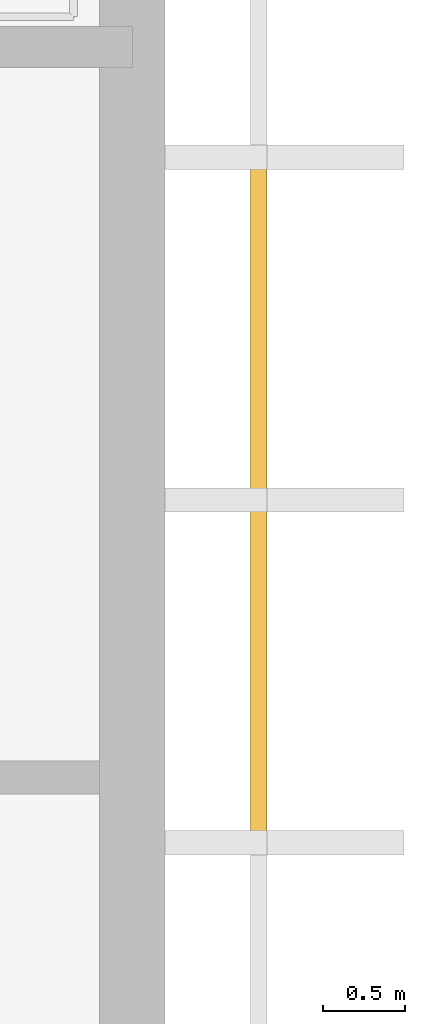
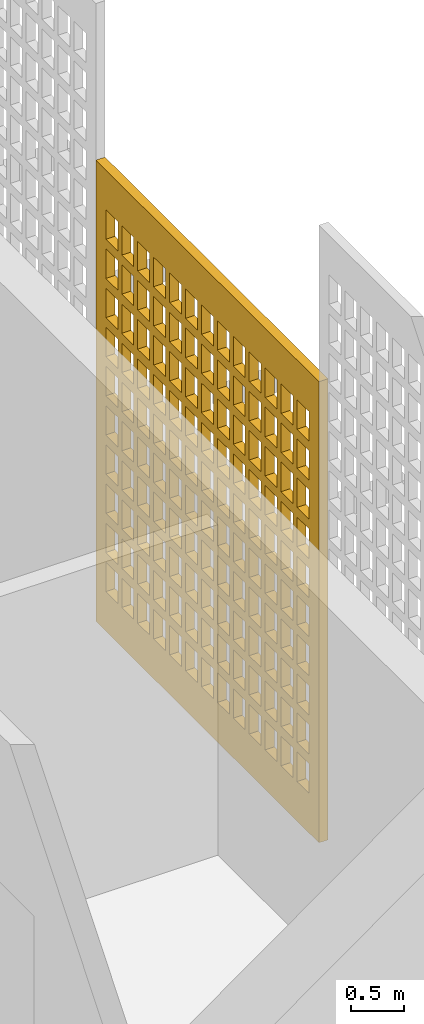
# One storey, part 14 of 23: 1 shading device, 1 opening.
"""IFC4 building model written with IfcOpenShell, lengths in metres."""

from ifc_helpers import new_model, si_unit, direction, frame, origin, origin_2d, place, context, subcontext, project, spatial, rectangle, extrude, material, layer, layer_set, type_object, element, save


model = new_model("IFC4")

# Units and contexts
model_context = context("Model", 3, precision=1e-05, world=origin(), true_north=direction((0.0, 1.0)))
body_context = subcontext(model_context, "Body", "Model", "MODEL_VIEW")
ifc_project = project(units=[si_unit("LENGTHUNIT", "METRE"), si_unit("AREAUNIT", "SQUARE_METRE"), si_unit("VOLUMEUNIT", "CUBIC_METRE"), si_unit("PLANEANGLEUNIT", "RADIAN"), si_unit("MASSUNIT", "GRAM", prefix="KILO")], contexts=[model_context])

# Site, building, storey
site_placement = place(None, origin())
site = spatial("IfcSite", under=ifc_project, at=site_placement, CompositionType="ELEMENT")
building_placement = place(site_placement, origin())
building = spatial("IfcBuilding", under=site, at=building_placement, Name="Rulbaag Community and Learning Centre", CompositionType="ELEMENT")
storey_placement = place(building_placement, frame((0.0, 0.0, 64.800048828125)))
storey = spatial("IfcBuildingStorey", under=building, at=storey_placement, Name="L17", CompositionType="ELEMENT", Elevation=64.800048828125)

# Shading device, opening
ifc_material = material(Name="Concrete M40", Category="concrete")
ifc_layer = layer(ifc_material, 0.10009765625)
ifc_layer_set = layer_set([ifc_layer], Name="JC-4")
shading_device_type = type_object("IfcShadingDeviceType", Name="JC-4", PredefinedType="SHUTTER", material=ifc_layer_set)
shading_device_placement = place(storey_placement, frame((168.574951171875, 98.699951171875, 0.0), z_axis=(0.0, 0.0, 1.0), x_axis=(1.0, 0.0, 0.0)))
shading_device = element("IfcShadingDevice", 1, at=shading_device_placement, inside=storey, type_object=shading_device_type, Name="Jaali lantern screen", PredefinedType="SHUTTER", context=body_context, shape_type="SweptSolid", body=[
    extrude(rectangle(XDim=0.10009765625, YDim=4.199951171875, at=origin_2d()), origin(), (0.0, 0.0, 1.0), 5.300048828125),
])
opening_placement = place(shading_device_placement, origin())
element("IfcOpeningElement", 2, at=opening_placement, cuts=shading_device, Name="Perforation JC4", PredefinedType="OPENING", context=body_context, shape_type="SweptSolid", body=[
    extrude(rectangle(XDim=0.22509765625, YDim=0.340087890625, at=origin_2d()), frame((-0.06005859375, -1.800048828125, 0.625), z_axis=(1.0, 0.0, 0.0), x_axis=(0.0, 1.0, 0.0)), (0.0, 0.0, 1.0), 0.1201171875),
    extrude(rectangle(XDim=0.22509765625, YDim=0.340087890625, at=origin_2d()), frame((-0.06005859375, -1.5, 0.625), z_axis=(1.0, 0.0, 0.0), x_axis=(0.0, 1.0, 0.0)), (0.0, 0.0, 1.0), 0.1201171875),
    extrude(rectangle(XDim=0.22509765625, YDim=0.340087890625, at=origin_2d()), frame((-0.06005859375, -1.199951171875, 0.625), z_axis=(1.0, 0.0, 0.0), x_axis=(0.0, 1.0, 0.0)), (0.0, 0.0, 1.0), 0.1201171875),
    extrude(rectangle(XDim=0.22509765625, YDim=0.340087890625, at=origin_2d()), frame((-0.06005859375, -0.89990234375, 0.625), z_axis=(1.0, 0.0, 0.0), x_axis=(0.0, 1.0, 0.0)), (0.0, 0.0, 1.0), 0.1201171875),
    extrude(rectangle(XDim=0.22509765625, YDim=0.340087890625, at=origin_2d()), frame((-0.06005859375, -0.60009765625, 0.625), z_axis=(1.0, 0.0, 0.0), x_axis=(0.0, 1.0, 0.0)), (0.0, 0.0, 1.0), 0.1201171875),
    extrude(rectangle(XDim=0.22509765625, YDim=0.340087890625, at=origin_2d()), frame((-0.06005859375, -0.300048828125, 0.625), z_axis=(1.0, 0.0, 0.0), x_axis=(0.0, 1.0, 0.0)), (0.0, 0.0, 1.0), 0.1201171875),
    extrude(rectangle(XDim=0.22509765625, YDim=0.340087890625, at=origin_2d()), frame((-0.06005859375, 0.0, 0.625), z_axis=(1.0, 0.0, 0.0), x_axis=(0.0, 1.0, 0.0)), (0.0, 0.0, 1.0), 0.1201171875),
    extrude(rectangle(XDim=0.22509765625, YDim=0.340087890625, at=origin_2d()), frame((-0.06005859375, 0.300048828125, 0.625), z_axis=(1.0, 0.0, 0.0), x_axis=(0.0, 1.0, 0.0)), (0.0, 0.0, 1.0), 0.1201171875),
    extrude(rectangle(XDim=0.22509765625, YDim=0.340087890625, at=origin_2d()), frame((-0.06005859375, 0.60009765625, 0.625), z_axis=(1.0, 0.0, 0.0), x_axis=(0.0, 1.0, 0.0)), (0.0, 0.0, 1.0), 0.1201171875),
    extrude(rectangle(XDim=0.22509765625, YDim=0.340087890625, at=origin_2d()), frame((-0.06005859375, 0.89990234375, 0.625), z_axis=(1.0, 0.0, 0.0), x_axis=(0.0, 1.0, 0.0)), (0.0, 0.0, 1.0), 0.1201171875),
    extrude(rectangle(XDim=0.22509765625, YDim=0.340087890625, at=origin_2d()), frame((-0.06005859375, 1.199951171875, 0.625), z_axis=(1.0, 0.0, 0.0), x_axis=(0.0, 1.0, 0.0)), (0.0, 0.0, 1.0), 0.1201171875),
    extrude(rectangle(XDim=0.22509765625, YDim=0.340087890625, at=origin_2d()), frame((-0.06005859375, 1.5, 0.625), z_axis=(1.0, 0.0, 0.0), x_axis=(0.0, 1.0, 0.0)), (0.0, 0.0, 1.0), 0.1201171875),
    extrude(rectangle(XDim=0.22509765625, YDim=0.340087890625, at=origin_2d()), frame((-0.06005859375, 1.800048828125, 0.625), z_axis=(1.0, 0.0, 0.0), x_axis=(0.0, 1.0, 0.0)), (0.0, 0.0, 1.0), 0.1201171875),
    extrude(rectangle(XDim=0.22509765625, YDim=0.340087890625, at=origin_2d()), frame((-0.06005859375, -1.800048828125, 1.074951171875), z_axis=(1.0, 0.0, 0.0), x_axis=(0.0, 1.0, 0.0)), (0.0, 0.0, 1.0), 0.1201171875),
    extrude(rectangle(XDim=0.22509765625, YDim=0.340087890625, at=origin_2d()), frame((-0.06005859375, -1.5, 1.074951171875), z_axis=(1.0, 0.0, 0.0), x_axis=(0.0, 1.0, 0.0)), (0.0, 0.0, 1.0), 0.1201171875),
    extrude(rectangle(XDim=0.22509765625, YDim=0.340087890625, at=origin_2d()), frame((-0.06005859375, -1.199951171875, 1.074951171875), z_axis=(1.0, 0.0, 0.0), x_axis=(0.0, 1.0, 0.0)), (0.0, 0.0, 1.0), 0.1201171875),
    extrude(rectangle(XDim=0.22509765625, YDim=0.340087890625, at=origin_2d()), frame((-0.06005859375, -0.89990234375, 1.074951171875), z_axis=(1.0, 0.0, 0.0), x_axis=(0.0, 1.0, 0.0)), (0.0, 0.0, 1.0), 0.1201171875),
    extrude(rectangle(XDim=0.22509765625, YDim=0.340087890625, at=origin_2d()), frame((-0.06005859375, -0.60009765625, 1.074951171875), z_axis=(1.0, 0.0, 0.0), x_axis=(0.0, 1.0, 0.0)), (0.0, 0.0, 1.0), 0.1201171875),
    extrude(rectangle(XDim=0.22509765625, YDim=0.340087890625, at=origin_2d()), frame((-0.06005859375, -0.300048828125, 1.074951171875), z_axis=(1.0, 0.0, 0.0), x_axis=(0.0, 1.0, 0.0)), (0.0, 0.0, 1.0), 0.1201171875),
    extrude(rectangle(XDim=0.22509765625, YDim=0.340087890625, at=origin_2d()), frame((-0.06005859375, 0.0, 1.074951171875), z_axis=(1.0, 0.0, 0.0), x_axis=(0.0, 1.0, 0.0)), (0.0, 0.0, 1.0), 0.1201171875),
    extrude(rectangle(XDim=0.22509765625, YDim=0.340087890625, at=origin_2d()), frame((-0.06005859375, 0.300048828125, 1.074951171875), z_axis=(1.0, 0.0, 0.0), x_axis=(0.0, 1.0, 0.0)), (0.0, 0.0, 1.0), 0.1201171875),
    extrude(rectangle(XDim=0.22509765625, YDim=0.340087890625, at=origin_2d()), frame((-0.06005859375, 0.60009765625, 1.074951171875), z_axis=(1.0, 0.0, 0.0), x_axis=(0.0, 1.0, 0.0)), (0.0, 0.0, 1.0), 0.1201171875),
    extrude(rectangle(XDim=0.22509765625, YDim=0.340087890625, at=origin_2d()), frame((-0.06005859375, 0.89990234375, 1.074951171875), z_axis=(1.0, 0.0, 0.0), x_axis=(0.0, 1.0, 0.0)), (0.0, 0.0, 1.0), 0.1201171875),
    extrude(rectangle(XDim=0.22509765625, YDim=0.340087890625, at=origin_2d()), frame((-0.06005859375, 1.199951171875, 1.074951171875), z_axis=(1.0, 0.0, 0.0), x_axis=(0.0, 1.0, 0.0)), (0.0, 0.0, 1.0), 0.1201171875),
    extrude(rectangle(XDim=0.22509765625, YDim=0.340087890625, at=origin_2d()), frame((-0.06005859375, 1.5, 1.074951171875), z_axis=(1.0, 0.0, 0.0), x_axis=(0.0, 1.0, 0.0)), (0.0, 0.0, 1.0), 0.1201171875),
    extrude(rectangle(XDim=0.22509765625, YDim=0.340087890625, at=origin_2d()), frame((-0.06005859375, 1.800048828125, 1.074951171875), z_axis=(1.0, 0.0, 0.0), x_axis=(0.0, 1.0, 0.0)), (0.0, 0.0, 1.0), 0.1201171875),
    extrude(rectangle(XDim=0.22509765625, YDim=0.340087890625, at=origin_2d()), frame((-0.06005859375, -1.800048828125, 1.52490234375), z_axis=(1.0, 0.0, 0.0), x_axis=(0.0, 1.0, 0.0)), (0.0, 0.0, 1.0), 0.1201171875),
    extrude(rectangle(XDim=0.22509765625, YDim=0.340087890625, at=origin_2d()), frame((-0.06005859375, -1.5, 1.52490234375), z_axis=(1.0, 0.0, 0.0), x_axis=(0.0, 1.0, 0.0)), (0.0, 0.0, 1.0), 0.1201171875),
    extrude(rectangle(XDim=0.22509765625, YDim=0.340087890625, at=origin_2d()), frame((-0.06005859375, -1.199951171875, 1.52490234375), z_axis=(1.0, 0.0, 0.0), x_axis=(0.0, 1.0, 0.0)), (0.0, 0.0, 1.0), 0.1201171875),
    extrude(rectangle(XDim=0.22509765625, YDim=0.340087890625, at=origin_2d()), frame((-0.06005859375, -0.89990234375, 1.52490234375), z_axis=(1.0, 0.0, 0.0), x_axis=(0.0, 1.0, 0.0)), (0.0, 0.0, 1.0), 0.1201171875),
    extrude(rectangle(XDim=0.22509765625, YDim=0.340087890625, at=origin_2d()), frame((-0.06005859375, -0.60009765625, 1.52490234375), z_axis=(1.0, 0.0, 0.0), x_axis=(0.0, 1.0, 0.0)), (0.0, 0.0, 1.0), 0.1201171875),
    extrude(rectangle(XDim=0.22509765625, YDim=0.340087890625, at=origin_2d()), frame((-0.06005859375, -0.300048828125, 1.52490234375), z_axis=(1.0, 0.0, 0.0), x_axis=(0.0, 1.0, 0.0)), (0.0, 0.0, 1.0), 0.1201171875),
    extrude(rectangle(XDim=0.22509765625, YDim=0.340087890625, at=origin_2d()), frame((-0.06005859375, 0.0, 1.52490234375), z_axis=(1.0, 0.0, 0.0), x_axis=(0.0, 1.0, 0.0)), (0.0, 0.0, 1.0), 0.1201171875),
    extrude(rectangle(XDim=0.22509765625, YDim=0.340087890625, at=origin_2d()), frame((-0.06005859375, 0.300048828125, 1.52490234375), z_axis=(1.0, 0.0, 0.0), x_axis=(0.0, 1.0, 0.0)), (0.0, 0.0, 1.0), 0.1201171875),
    extrude(rectangle(XDim=0.22509765625, YDim=0.340087890625, at=origin_2d()), frame((-0.06005859375, 0.60009765625, 1.52490234375), z_axis=(1.0, 0.0, 0.0), x_axis=(0.0, 1.0, 0.0)), (0.0, 0.0, 1.0), 0.1201171875),
    extrude(rectangle(XDim=0.22509765625, YDim=0.340087890625, at=origin_2d()), frame((-0.06005859375, 0.89990234375, 1.52490234375), z_axis=(1.0, 0.0, 0.0), x_axis=(0.0, 1.0, 0.0)), (0.0, 0.0, 1.0), 0.1201171875),
    extrude(rectangle(XDim=0.22509765625, YDim=0.340087890625, at=origin_2d()), frame((-0.06005859375, 1.199951171875, 1.52490234375), z_axis=(1.0, 0.0, 0.0), x_axis=(0.0, 1.0, 0.0)), (0.0, 0.0, 1.0), 0.1201171875),
    extrude(rectangle(XDim=0.22509765625, YDim=0.340087890625, at=origin_2d()), frame((-0.06005859375, 1.5, 1.52490234375), z_axis=(1.0, 0.0, 0.0), x_axis=(0.0, 1.0, 0.0)), (0.0, 0.0, 1.0), 0.1201171875),
    extrude(rectangle(XDim=0.22509765625, YDim=0.340087890625, at=origin_2d()), frame((-0.06005859375, 1.800048828125, 1.52490234375), z_axis=(1.0, 0.0, 0.0), x_axis=(0.0, 1.0, 0.0)), (0.0, 0.0, 1.0), 0.1201171875),
    extrude(rectangle(XDim=0.22509765625, YDim=0.340087890625, at=origin_2d()), frame((-0.06005859375, -1.800048828125, 1.97509765625), z_axis=(1.0, 0.0, 0.0), x_axis=(0.0, 1.0, 0.0)), (0.0, 0.0, 1.0), 0.1201171875),
    extrude(rectangle(XDim=0.22509765625, YDim=0.340087890625, at=origin_2d()), frame((-0.06005859375, -1.5, 1.97509765625), z_axis=(1.0, 0.0, 0.0), x_axis=(0.0, 1.0, 0.0)), (0.0, 0.0, 1.0), 0.1201171875),
    extrude(rectangle(XDim=0.22509765625, YDim=0.340087890625, at=origin_2d()), frame((-0.06005859375, -1.199951171875, 1.97509765625), z_axis=(1.0, 0.0, 0.0), x_axis=(0.0, 1.0, 0.0)), (0.0, 0.0, 1.0), 0.1201171875),
    extrude(rectangle(XDim=0.22509765625, YDim=0.340087890625, at=origin_2d()), frame((-0.06005859375, -0.89990234375, 1.97509765625), z_axis=(1.0, 0.0, 0.0), x_axis=(0.0, 1.0, 0.0)), (0.0, 0.0, 1.0), 0.1201171875),
    extrude(rectangle(XDim=0.22509765625, YDim=0.340087890625, at=origin_2d()), frame((-0.06005859375, -0.60009765625, 1.97509765625), z_axis=(1.0, 0.0, 0.0), x_axis=(0.0, 1.0, 0.0)), (0.0, 0.0, 1.0), 0.1201171875),
    extrude(rectangle(XDim=0.22509765625, YDim=0.340087890625, at=origin_2d()), frame((-0.06005859375, -0.300048828125, 1.97509765625), z_axis=(1.0, 0.0, 0.0), x_axis=(0.0, 1.0, 0.0)), (0.0, 0.0, 1.0), 0.1201171875),
    extrude(rectangle(XDim=0.22509765625, YDim=0.340087890625, at=origin_2d()), frame((-0.06005859375, 0.0, 1.97509765625), z_axis=(1.0, 0.0, 0.0), x_axis=(0.0, 1.0, 0.0)), (0.0, 0.0, 1.0), 0.1201171875),
    extrude(rectangle(XDim=0.22509765625, YDim=0.340087890625, at=origin_2d()), frame((-0.06005859375, 0.300048828125, 1.97509765625), z_axis=(1.0, 0.0, 0.0), x_axis=(0.0, 1.0, 0.0)), (0.0, 0.0, 1.0), 0.1201171875),
    extrude(rectangle(XDim=0.22509765625, YDim=0.340087890625, at=origin_2d()), frame((-0.06005859375, 0.60009765625, 1.97509765625), z_axis=(1.0, 0.0, 0.0), x_axis=(0.0, 1.0, 0.0)), (0.0, 0.0, 1.0), 0.1201171875),
    extrude(rectangle(XDim=0.22509765625, YDim=0.340087890625, at=origin_2d()), frame((-0.06005859375, 0.89990234375, 1.97509765625), z_axis=(1.0, 0.0, 0.0), x_axis=(0.0, 1.0, 0.0)), (0.0, 0.0, 1.0), 0.1201171875),
    extrude(rectangle(XDim=0.22509765625, YDim=0.340087890625, at=origin_2d()), frame((-0.06005859375, 1.199951171875, 1.97509765625), z_axis=(1.0, 0.0, 0.0), x_axis=(0.0, 1.0, 0.0)), (0.0, 0.0, 1.0), 0.1201171875),
    extrude(rectangle(XDim=0.22509765625, YDim=0.340087890625, at=origin_2d()), frame((-0.06005859375, 1.5, 1.97509765625), z_axis=(1.0, 0.0, 0.0), x_axis=(0.0, 1.0, 0.0)), (0.0, 0.0, 1.0), 0.1201171875),
    extrude(rectangle(XDim=0.22509765625, YDim=0.340087890625, at=origin_2d()), frame((-0.06005859375, 1.800048828125, 1.97509765625), z_axis=(1.0, 0.0, 0.0), x_axis=(0.0, 1.0, 0.0)), (0.0, 0.0, 1.0), 0.1201171875),
    extrude(rectangle(XDim=0.22509765625, YDim=0.340087890625, at=origin_2d()), frame((-0.06005859375, -1.800048828125, 2.425048828125), z_axis=(1.0, 0.0, 0.0), x_axis=(0.0, 1.0, 0.0)), (0.0, 0.0, 1.0), 0.1201171875),
    extrude(rectangle(XDim=0.22509765625, YDim=0.340087890625, at=origin_2d()), frame((-0.06005859375, -1.5, 2.425048828125), z_axis=(1.0, 0.0, 0.0), x_axis=(0.0, 1.0, 0.0)), (0.0, 0.0, 1.0), 0.1201171875),
    extrude(rectangle(XDim=0.22509765625, YDim=0.340087890625, at=origin_2d()), frame((-0.06005859375, -1.199951171875, 2.425048828125), z_axis=(1.0, 0.0, 0.0), x_axis=(0.0, 1.0, 0.0)), (0.0, 0.0, 1.0), 0.1201171875),
    extrude(rectangle(XDim=0.22509765625, YDim=0.340087890625, at=origin_2d()), frame((-0.06005859375, -0.89990234375, 2.425048828125), z_axis=(1.0, 0.0, 0.0), x_axis=(0.0, 1.0, 0.0)), (0.0, 0.0, 1.0), 0.1201171875),
    extrude(rectangle(XDim=0.22509765625, YDim=0.340087890625, at=origin_2d()), frame((-0.06005859375, -0.60009765625, 2.425048828125), z_axis=(1.0, 0.0, 0.0), x_axis=(0.0, 1.0, 0.0)), (0.0, 0.0, 1.0), 0.1201171875),
    extrude(rectangle(XDim=0.22509765625, YDim=0.340087890625, at=origin_2d()), frame((-0.06005859375, -0.300048828125, 2.425048828125), z_axis=(1.0, 0.0, 0.0), x_axis=(0.0, 1.0, 0.0)), (0.0, 0.0, 1.0), 0.1201171875),
    extrude(rectangle(XDim=0.22509765625, YDim=0.340087890625, at=origin_2d()), frame((-0.06005859375, 0.0, 2.425048828125), z_axis=(1.0, 0.0, 0.0), x_axis=(0.0, 1.0, 0.0)), (0.0, 0.0, 1.0), 0.1201171875),
    extrude(rectangle(XDim=0.22509765625, YDim=0.340087890625, at=origin_2d()), frame((-0.06005859375, 0.300048828125, 2.425048828125), z_axis=(1.0, 0.0, 0.0), x_axis=(0.0, 1.0, 0.0)), (0.0, 0.0, 1.0), 0.1201171875),
    extrude(rectangle(XDim=0.22509765625, YDim=0.340087890625, at=origin_2d()), frame((-0.06005859375, 0.60009765625, 2.425048828125), z_axis=(1.0, 0.0, 0.0), x_axis=(0.0, 1.0, 0.0)), (0.0, 0.0, 1.0), 0.1201171875),
    extrude(rectangle(XDim=0.22509765625, YDim=0.340087890625, at=origin_2d()), frame((-0.06005859375, 0.89990234375, 2.425048828125), z_axis=(1.0, 0.0, 0.0), x_axis=(0.0, 1.0, 0.0)), (0.0, 0.0, 1.0), 0.1201171875),
    extrude(rectangle(XDim=0.22509765625, YDim=0.340087890625, at=origin_2d()), frame((-0.06005859375, 1.199951171875, 2.425048828125), z_axis=(1.0, 0.0, 0.0), x_axis=(0.0, 1.0, 0.0)), (0.0, 0.0, 1.0), 0.1201171875),
    extrude(rectangle(XDim=0.22509765625, YDim=0.340087890625, at=origin_2d()), frame((-0.06005859375, 1.5, 2.425048828125), z_axis=(1.0, 0.0, 0.0), x_axis=(0.0, 1.0, 0.0)), (0.0, 0.0, 1.0), 0.1201171875),
    extrude(rectangle(XDim=0.22509765625, YDim=0.340087890625, at=origin_2d()), frame((-0.06005859375, 1.800048828125, 2.425048828125), z_axis=(1.0, 0.0, 0.0), x_axis=(0.0, 1.0, 0.0)), (0.0, 0.0, 1.0), 0.1201171875),
    extrude(rectangle(XDim=0.22509765625, YDim=0.340087890625, at=origin_2d()), frame((-0.06005859375, -1.800048828125, 2.875), z_axis=(1.0, 0.0, 0.0), x_axis=(0.0, 1.0, 0.0)), (0.0, 0.0, 1.0), 0.1201171875),
    extrude(rectangle(XDim=0.22509765625, YDim=0.340087890625, at=origin_2d()), frame((-0.06005859375, -1.5, 2.875), z_axis=(1.0, 0.0, 0.0), x_axis=(0.0, 1.0, 0.0)), (0.0, 0.0, 1.0), 0.1201171875),
    extrude(rectangle(XDim=0.22509765625, YDim=0.340087890625, at=origin_2d()), frame((-0.06005859375, -1.199951171875, 2.875), z_axis=(1.0, 0.0, 0.0), x_axis=(0.0, 1.0, 0.0)), (0.0, 0.0, 1.0), 0.1201171875),
    extrude(rectangle(XDim=0.22509765625, YDim=0.340087890625, at=origin_2d()), frame((-0.06005859375, -0.89990234375, 2.875), z_axis=(1.0, 0.0, 0.0), x_axis=(0.0, 1.0, 0.0)), (0.0, 0.0, 1.0), 0.1201171875),
    extrude(rectangle(XDim=0.22509765625, YDim=0.340087890625, at=origin_2d()), frame((-0.06005859375, -0.60009765625, 2.875), z_axis=(1.0, 0.0, 0.0), x_axis=(0.0, 1.0, 0.0)), (0.0, 0.0, 1.0), 0.1201171875),
    extrude(rectangle(XDim=0.22509765625, YDim=0.340087890625, at=origin_2d()), frame((-0.06005859375, -0.300048828125, 2.875), z_axis=(1.0, 0.0, 0.0), x_axis=(0.0, 1.0, 0.0)), (0.0, 0.0, 1.0), 0.1201171875),
    extrude(rectangle(XDim=0.22509765625, YDim=0.340087890625, at=origin_2d()), frame((-0.06005859375, 0.0, 2.875), z_axis=(1.0, 0.0, 0.0), x_axis=(0.0, 1.0, 0.0)), (0.0, 0.0, 1.0), 0.1201171875),
    extrude(rectangle(XDim=0.22509765625, YDim=0.340087890625, at=origin_2d()), frame((-0.06005859375, 0.300048828125, 2.875), z_axis=(1.0, 0.0, 0.0), x_axis=(0.0, 1.0, 0.0)), (0.0, 0.0, 1.0), 0.1201171875),
    extrude(rectangle(XDim=0.22509765625, YDim=0.340087890625, at=origin_2d()), frame((-0.06005859375, 0.60009765625, 2.875), z_axis=(1.0, 0.0, 0.0), x_axis=(0.0, 1.0, 0.0)), (0.0, 0.0, 1.0), 0.1201171875),
    extrude(rectangle(XDim=0.22509765625, YDim=0.340087890625, at=origin_2d()), frame((-0.06005859375, 0.89990234375, 2.875), z_axis=(1.0, 0.0, 0.0), x_axis=(0.0, 1.0, 0.0)), (0.0, 0.0, 1.0), 0.1201171875),
    extrude(rectangle(XDim=0.22509765625, YDim=0.340087890625, at=origin_2d()), frame((-0.06005859375, 1.199951171875, 2.875), z_axis=(1.0, 0.0, 0.0), x_axis=(0.0, 1.0, 0.0)), (0.0, 0.0, 1.0), 0.1201171875),
    extrude(rectangle(XDim=0.22509765625, YDim=0.340087890625, at=origin_2d()), frame((-0.06005859375, 1.5, 2.875), z_axis=(1.0, 0.0, 0.0), x_axis=(0.0, 1.0, 0.0)), (0.0, 0.0, 1.0), 0.1201171875),
    extrude(rectangle(XDim=0.22509765625, YDim=0.340087890625, at=origin_2d()), frame((-0.06005859375, 1.800048828125, 2.875), z_axis=(1.0, 0.0, 0.0), x_axis=(0.0, 1.0, 0.0)), (0.0, 0.0, 1.0), 0.1201171875),
    extrude(rectangle(XDim=0.22509765625, YDim=0.340087890625, at=origin_2d()), frame((-0.06005859375, -1.800048828125, 3.324951171875), z_axis=(1.0, 0.0, 0.0), x_axis=(0.0, 1.0, 0.0)), (0.0, 0.0, 1.0), 0.1201171875),
    extrude(rectangle(XDim=0.22509765625, YDim=0.340087890625, at=origin_2d()), frame((-0.06005859375, -1.5, 3.324951171875), z_axis=(1.0, 0.0, 0.0), x_axis=(0.0, 1.0, 0.0)), (0.0, 0.0, 1.0), 0.1201171875),
    extrude(rectangle(XDim=0.22509765625, YDim=0.340087890625, at=origin_2d()), frame((-0.06005859375, -1.199951171875, 3.324951171875), z_axis=(1.0, 0.0, 0.0), x_axis=(0.0, 1.0, 0.0)), (0.0, 0.0, 1.0), 0.1201171875),
    extrude(rectangle(XDim=0.22509765625, YDim=0.340087890625, at=origin_2d()), frame((-0.06005859375, -0.89990234375, 3.324951171875), z_axis=(1.0, 0.0, 0.0), x_axis=(0.0, 1.0, 0.0)), (0.0, 0.0, 1.0), 0.1201171875),
    extrude(rectangle(XDim=0.22509765625, YDim=0.340087890625, at=origin_2d()), frame((-0.06005859375, -0.60009765625, 3.324951171875), z_axis=(1.0, 0.0, 0.0), x_axis=(0.0, 1.0, 0.0)), (0.0, 0.0, 1.0), 0.1201171875),
    extrude(rectangle(XDim=0.22509765625, YDim=0.340087890625, at=origin_2d()), frame((-0.06005859375, -0.300048828125, 3.324951171875), z_axis=(1.0, 0.0, 0.0), x_axis=(0.0, 1.0, 0.0)), (0.0, 0.0, 1.0), 0.1201171875),
    extrude(rectangle(XDim=0.22509765625, YDim=0.340087890625, at=origin_2d()), frame((-0.06005859375, 0.0, 3.324951171875), z_axis=(1.0, 0.0, 0.0), x_axis=(0.0, 1.0, 0.0)), (0.0, 0.0, 1.0), 0.1201171875),
    extrude(rectangle(XDim=0.22509765625, YDim=0.340087890625, at=origin_2d()), frame((-0.06005859375, 0.300048828125, 3.324951171875), z_axis=(1.0, 0.0, 0.0), x_axis=(0.0, 1.0, 0.0)), (0.0, 0.0, 1.0), 0.1201171875),
    extrude(rectangle(XDim=0.22509765625, YDim=0.340087890625, at=origin_2d()), frame((-0.06005859375, 0.60009765625, 3.324951171875), z_axis=(1.0, 0.0, 0.0), x_axis=(0.0, 1.0, 0.0)), (0.0, 0.0, 1.0), 0.1201171875),
    extrude(rectangle(XDim=0.22509765625, YDim=0.340087890625, at=origin_2d()), frame((-0.06005859375, 0.89990234375, 3.324951171875), z_axis=(1.0, 0.0, 0.0), x_axis=(0.0, 1.0, 0.0)), (0.0, 0.0, 1.0), 0.1201171875),
    extrude(rectangle(XDim=0.22509765625, YDim=0.340087890625, at=origin_2d()), frame((-0.06005859375, 1.199951171875, 3.324951171875), z_axis=(1.0, 0.0, 0.0), x_axis=(0.0, 1.0, 0.0)), (0.0, 0.0, 1.0), 0.1201171875),
    extrude(rectangle(XDim=0.22509765625, YDim=0.340087890625, at=origin_2d()), frame((-0.06005859375, 1.5, 3.324951171875), z_axis=(1.0, 0.0, 0.0), x_axis=(0.0, 1.0, 0.0)), (0.0, 0.0, 1.0), 0.1201171875),
    extrude(rectangle(XDim=0.22509765625, YDim=0.340087890625, at=origin_2d()), frame((-0.06005859375, 1.800048828125, 3.324951171875), z_axis=(1.0, 0.0, 0.0), x_axis=(0.0, 1.0, 0.0)), (0.0, 0.0, 1.0), 0.1201171875),
    extrude(rectangle(XDim=0.22509765625, YDim=0.340087890625, at=origin_2d()), frame((-0.06005859375, -1.800048828125, 3.77490234375), z_axis=(1.0, 0.0, 0.0), x_axis=(0.0, 1.0, 0.0)), (0.0, 0.0, 1.0), 0.1201171875),
    extrude(rectangle(XDim=0.22509765625, YDim=0.340087890625, at=origin_2d()), frame((-0.06005859375, -1.5, 3.77490234375), z_axis=(1.0, 0.0, 0.0), x_axis=(0.0, 1.0, 0.0)), (0.0, 0.0, 1.0), 0.1201171875),
    extrude(rectangle(XDim=0.22509765625, YDim=0.340087890625, at=origin_2d()), frame((-0.06005859375, -1.199951171875, 3.77490234375), z_axis=(1.0, 0.0, 0.0), x_axis=(0.0, 1.0, 0.0)), (0.0, 0.0, 1.0), 0.1201171875),
    extrude(rectangle(XDim=0.22509765625, YDim=0.340087890625, at=origin_2d()), frame((-0.06005859375, -0.89990234375, 3.77490234375), z_axis=(1.0, 0.0, 0.0), x_axis=(0.0, 1.0, 0.0)), (0.0, 0.0, 1.0), 0.1201171875),
    extrude(rectangle(XDim=0.22509765625, YDim=0.340087890625, at=origin_2d()), frame((-0.06005859375, -0.60009765625, 3.77490234375), z_axis=(1.0, 0.0, 0.0), x_axis=(0.0, 1.0, 0.0)), (0.0, 0.0, 1.0), 0.1201171875),
    extrude(rectangle(XDim=0.22509765625, YDim=0.340087890625, at=origin_2d()), frame((-0.06005859375, -0.300048828125, 3.77490234375), z_axis=(1.0, 0.0, 0.0), x_axis=(0.0, 1.0, 0.0)), (0.0, 0.0, 1.0), 0.1201171875),
    extrude(rectangle(XDim=0.22509765625, YDim=0.340087890625, at=origin_2d()), frame((-0.06005859375, 0.0, 3.77490234375), z_axis=(1.0, 0.0, 0.0), x_axis=(0.0, 1.0, 0.0)), (0.0, 0.0, 1.0), 0.1201171875),
    extrude(rectangle(XDim=0.22509765625, YDim=0.340087890625, at=origin_2d()), frame((-0.06005859375, 0.300048828125, 3.77490234375), z_axis=(1.0, 0.0, 0.0), x_axis=(0.0, 1.0, 0.0)), (0.0, 0.0, 1.0), 0.1201171875),
    extrude(rectangle(XDim=0.22509765625, YDim=0.340087890625, at=origin_2d()), frame((-0.06005859375, 0.60009765625, 3.77490234375), z_axis=(1.0, 0.0, 0.0), x_axis=(0.0, 1.0, 0.0)), (0.0, 0.0, 1.0), 0.1201171875),
    extrude(rectangle(XDim=0.22509765625, YDim=0.340087890625, at=origin_2d()), frame((-0.06005859375, 0.89990234375, 3.77490234375), z_axis=(1.0, 0.0, 0.0), x_axis=(0.0, 1.0, 0.0)), (0.0, 0.0, 1.0), 0.1201171875),
    extrude(rectangle(XDim=0.22509765625, YDim=0.340087890625, at=origin_2d()), frame((-0.06005859375, 1.199951171875, 3.77490234375), z_axis=(1.0, 0.0, 0.0), x_axis=(0.0, 1.0, 0.0)), (0.0, 0.0, 1.0), 0.1201171875),
    extrude(rectangle(XDim=0.22509765625, YDim=0.340087890625, at=origin_2d()), frame((-0.06005859375, 1.5, 3.77490234375), z_axis=(1.0, 0.0, 0.0), x_axis=(0.0, 1.0, 0.0)), (0.0, 0.0, 1.0), 0.1201171875),
    extrude(rectangle(XDim=0.22509765625, YDim=0.340087890625, at=origin_2d()), frame((-0.06005859375, 1.800048828125, 3.77490234375), z_axis=(1.0, 0.0, 0.0), x_axis=(0.0, 1.0, 0.0)), (0.0, 0.0, 1.0), 0.1201171875),
    extrude(rectangle(XDim=0.22509765625, YDim=0.340087890625, at=origin_2d()), frame((-0.06005859375, -1.800048828125, 4.22509765625), z_axis=(1.0, 0.0, 0.0), x_axis=(0.0, 1.0, 0.0)), (0.0, 0.0, 1.0), 0.1201171875),
    extrude(rectangle(XDim=0.22509765625, YDim=0.340087890625, at=origin_2d()), frame((-0.06005859375, -1.5, 4.22509765625), z_axis=(1.0, 0.0, 0.0), x_axis=(0.0, 1.0, 0.0)), (0.0, 0.0, 1.0), 0.1201171875),
    extrude(rectangle(XDim=0.22509765625, YDim=0.340087890625, at=origin_2d()), frame((-0.06005859375, -1.199951171875, 4.22509765625), z_axis=(1.0, 0.0, 0.0), x_axis=(0.0, 1.0, 0.0)), (0.0, 0.0, 1.0), 0.1201171875),
    extrude(rectangle(XDim=0.22509765625, YDim=0.340087890625, at=origin_2d()), frame((-0.06005859375, -0.89990234375, 4.22509765625), z_axis=(1.0, 0.0, 0.0), x_axis=(0.0, 1.0, 0.0)), (0.0, 0.0, 1.0), 0.1201171875),
    extrude(rectangle(XDim=0.22509765625, YDim=0.340087890625, at=origin_2d()), frame((-0.06005859375, -0.60009765625, 4.22509765625), z_axis=(1.0, 0.0, 0.0), x_axis=(0.0, 1.0, 0.0)), (0.0, 0.0, 1.0), 0.1201171875),
    extrude(rectangle(XDim=0.22509765625, YDim=0.340087890625, at=origin_2d()), frame((-0.06005859375, -0.300048828125, 4.22509765625), z_axis=(1.0, 0.0, 0.0), x_axis=(0.0, 1.0, 0.0)), (0.0, 0.0, 1.0), 0.1201171875),
    extrude(rectangle(XDim=0.22509765625, YDim=0.340087890625, at=origin_2d()), frame((-0.06005859375, 0.0, 4.22509765625), z_axis=(1.0, 0.0, 0.0), x_axis=(0.0, 1.0, 0.0)), (0.0, 0.0, 1.0), 0.1201171875),
    extrude(rectangle(XDim=0.22509765625, YDim=0.340087890625, at=origin_2d()), frame((-0.06005859375, 0.300048828125, 4.22509765625), z_axis=(1.0, 0.0, 0.0), x_axis=(0.0, 1.0, 0.0)), (0.0, 0.0, 1.0), 0.1201171875),
    extrude(rectangle(XDim=0.22509765625, YDim=0.340087890625, at=origin_2d()), frame((-0.06005859375, 0.60009765625, 4.22509765625), z_axis=(1.0, 0.0, 0.0), x_axis=(0.0, 1.0, 0.0)), (0.0, 0.0, 1.0), 0.1201171875),
    extrude(rectangle(XDim=0.22509765625, YDim=0.340087890625, at=origin_2d()), frame((-0.06005859375, 0.89990234375, 4.22509765625), z_axis=(1.0, 0.0, 0.0), x_axis=(0.0, 1.0, 0.0)), (0.0, 0.0, 1.0), 0.1201171875),
    extrude(rectangle(XDim=0.22509765625, YDim=0.340087890625, at=origin_2d()), frame((-0.06005859375, 1.199951171875, 4.22509765625), z_axis=(1.0, 0.0, 0.0), x_axis=(0.0, 1.0, 0.0)), (0.0, 0.0, 1.0), 0.1201171875),
    extrude(rectangle(XDim=0.22509765625, YDim=0.340087890625, at=origin_2d()), frame((-0.06005859375, 1.5, 4.22509765625), z_axis=(1.0, 0.0, 0.0), x_axis=(0.0, 1.0, 0.0)), (0.0, 0.0, 1.0), 0.1201171875),
    extrude(rectangle(XDim=0.22509765625, YDim=0.340087890625, at=origin_2d()), frame((-0.06005859375, 1.800048828125, 4.22509765625), z_axis=(1.0, 0.0, 0.0), x_axis=(0.0, 1.0, 0.0)), (0.0, 0.0, 1.0), 0.1201171875),
    extrude(rectangle(XDim=0.22509765625, YDim=0.340087890625, at=origin_2d()), frame((-0.06005859375, -1.800048828125, 4.675048828125), z_axis=(1.0, 0.0, 0.0), x_axis=(0.0, 1.0, 0.0)), (0.0, 0.0, 1.0), 0.1201171875),
    extrude(rectangle(XDim=0.22509765625, YDim=0.340087890625, at=origin_2d()), frame((-0.06005859375, -1.5, 4.675048828125), z_axis=(1.0, 0.0, 0.0), x_axis=(0.0, 1.0, 0.0)), (0.0, 0.0, 1.0), 0.1201171875),
    extrude(rectangle(XDim=0.22509765625, YDim=0.340087890625, at=origin_2d()), frame((-0.06005859375, -1.199951171875, 4.675048828125), z_axis=(1.0, 0.0, 0.0), x_axis=(0.0, 1.0, 0.0)), (0.0, 0.0, 1.0), 0.1201171875),
    extrude(rectangle(XDim=0.22509765625, YDim=0.340087890625, at=origin_2d()), frame((-0.06005859375, -0.89990234375, 4.675048828125), z_axis=(1.0, 0.0, 0.0), x_axis=(0.0, 1.0, 0.0)), (0.0, 0.0, 1.0), 0.1201171875),
    extrude(rectangle(XDim=0.22509765625, YDim=0.340087890625, at=origin_2d()), frame((-0.06005859375, -0.60009765625, 4.675048828125), z_axis=(1.0, 0.0, 0.0), x_axis=(0.0, 1.0, 0.0)), (0.0, 0.0, 1.0), 0.1201171875),
    extrude(rectangle(XDim=0.22509765625, YDim=0.340087890625, at=origin_2d()), frame((-0.06005859375, -0.300048828125, 4.675048828125), z_axis=(1.0, 0.0, 0.0), x_axis=(0.0, 1.0, 0.0)), (0.0, 0.0, 1.0), 0.1201171875),
    extrude(rectangle(XDim=0.22509765625, YDim=0.340087890625, at=origin_2d()), frame((-0.06005859375, 0.0, 4.675048828125), z_axis=(1.0, 0.0, 0.0), x_axis=(0.0, 1.0, 0.0)), (0.0, 0.0, 1.0), 0.1201171875),
    extrude(rectangle(XDim=0.22509765625, YDim=0.340087890625, at=origin_2d()), frame((-0.06005859375, 0.300048828125, 4.675048828125), z_axis=(1.0, 0.0, 0.0), x_axis=(0.0, 1.0, 0.0)), (0.0, 0.0, 1.0), 0.1201171875),
    extrude(rectangle(XDim=0.22509765625, YDim=0.340087890625, at=origin_2d()), frame((-0.06005859375, 0.60009765625, 4.675048828125), z_axis=(1.0, 0.0, 0.0), x_axis=(0.0, 1.0, 0.0)), (0.0, 0.0, 1.0), 0.1201171875),
    extrude(rectangle(XDim=0.22509765625, YDim=0.340087890625, at=origin_2d()), frame((-0.06005859375, 0.89990234375, 4.675048828125), z_axis=(1.0, 0.0, 0.0), x_axis=(0.0, 1.0, 0.0)), (0.0, 0.0, 1.0), 0.1201171875),
    extrude(rectangle(XDim=0.22509765625, YDim=0.340087890625, at=origin_2d()), frame((-0.06005859375, 1.199951171875, 4.675048828125), z_axis=(1.0, 0.0, 0.0), x_axis=(0.0, 1.0, 0.0)), (0.0, 0.0, 1.0), 0.1201171875),
    extrude(rectangle(XDim=0.22509765625, YDim=0.340087890625, at=origin_2d()), frame((-0.06005859375, 1.5, 4.675048828125), z_axis=(1.0, 0.0, 0.0), x_axis=(0.0, 1.0, 0.0)), (0.0, 0.0, 1.0), 0.1201171875),
    extrude(rectangle(XDim=0.22509765625, YDim=0.340087890625, at=origin_2d()), frame((-0.06005859375, 1.800048828125, 4.675048828125), z_axis=(1.0, 0.0, 0.0), x_axis=(0.0, 1.0, 0.0)), (0.0, 0.0, 1.0), 0.1201171875),
])

save(model, "model.ifc")
